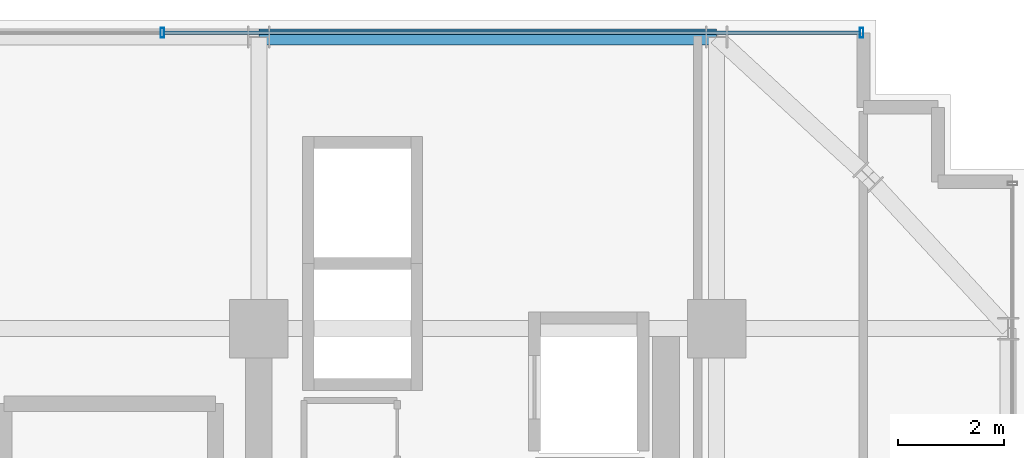
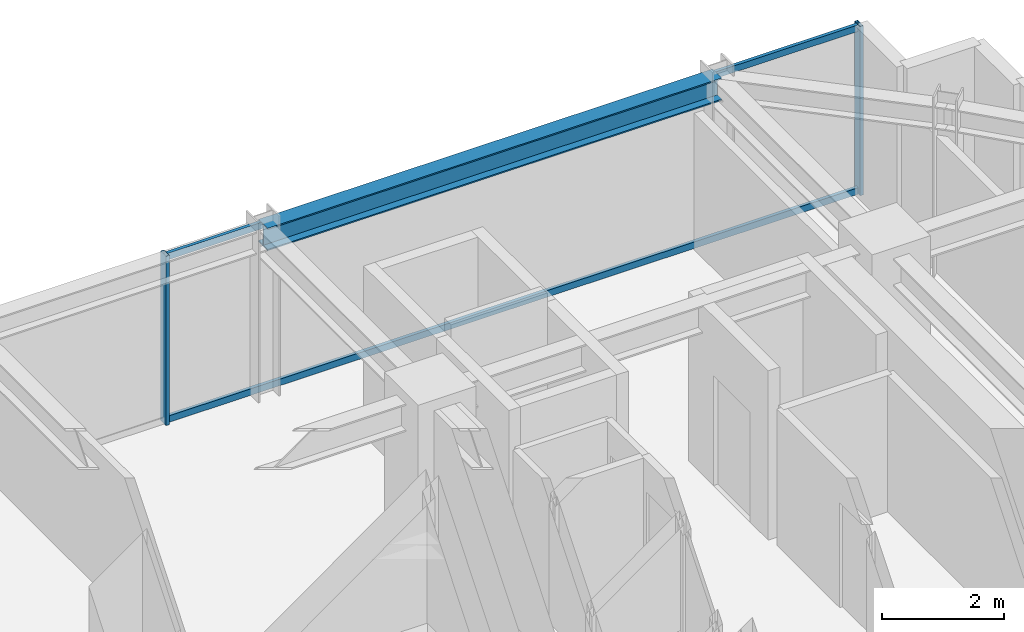
# One storey, part 23 of 31: 4 members, 1 beam, 1 element without a shape of its own.
"""IFC4 building model written with IfcOpenShell, lengths in metres."""

from ifc_helpers import new_model, si_unit, direction, frame, origin, origin_2d, place, context, subcontext, project, spatial, hollow_rectangle, i_section, extrude, source, transform, mapped, material, material_profile, profile_set, type_object, element, aggregate, save


model = new_model("IFC4")

# Units and contexts
model_context = context("Model", 3, precision=1e-05, world=origin(), true_north=direction((0.0, 1.0)))
body_context = subcontext(model_context, "Body", "Model", "MODEL_VIEW")
ifc_project = project(units=[si_unit("LENGTHUNIT", "METRE"), si_unit("AREAUNIT", "SQUARE_METRE"), si_unit("VOLUMEUNIT", "CUBIC_METRE"), si_unit("PLANEANGLEUNIT", "RADIAN"), si_unit("MASSUNIT", "GRAM", prefix="KILO")], contexts=[model_context])

# Site, building, storey
site_placement = place(None, origin())
site = spatial("IfcSite", under=ifc_project, at=site_placement, CompositionType="ELEMENT")
building_placement = place(site_placement, origin())
building = spatial("IfcBuilding", under=site, at=building_placement, Name="Nahalor Promenade Grand Hotel", CompositionType="ELEMENT")
storey_placement = place(building_placement, frame((0.0, 0.0, 156.300048828125)))
storey = spatial("IfcBuildingStorey", under=building, at=storey_placement, Name="L39", CompositionType="ELEMENT", Elevation=156.300048828125)

# Beam
ifc_material_1 = material(Name="Steel S355JR", Category="steel")
ifc_material_profile_1 = material_profile(ifc_material_1, i_section(OverallWidth=0.3, OverallDepth=0.45, WebThickness=0.014, FlangeThickness=0.026, at=origin_2d()), Name="HEB 450")
ifc_profile_set_1 = profile_set([ifc_material_profile_1], Name="Steel S355JR")
beam_type = type_object("IfcBeamType", Name="Beam-Spandrel-HEB450", PredefinedType="SPANDREL", material=ifc_profile_set_1)
shared_shape_1 = source(origin(), body_context, "Body", "SweptSolid", [
    extrude(i_section(OverallWidth=0.3, OverallDepth=0.45, WebThickness=0.014, FlangeThickness=0.026, at=origin_2d()), origin(), (0.0, 0.0, 1.0), 8.60009765625),
])
beam_placement = place(storey_placement, frame((8.39990234375, 22.47998046875, 3.1650390625), z_axis=(1.0, 0.0, 0.0), x_axis=(0.0, 1.0, 0.0)))
element("IfcBeam", 1, at=beam_placement, inside=storey, type_object=beam_type, Name="BM-L39-SP-N-4", PredefinedType="SPANDREL", context=body_context, shape_type="MappedRepresentation", body=[
    mapped(shared_shape_1, transform((0.0, 0.0, 0.0), scale=1.0)),
])

# Curtain wall, members
ifc_material_2 = material(Name="Anodised Bronze Aluminium EN AW-6063 T6", Category="aluminium")
curtain_wall_type = type_object("IfcCurtainWallType", Name="CW2 Typical Hotel Flush Bronze Unitised Curtain Wall", PredefinedType="USERDEFINED", material=ifc_material_2)
curtain_wall_placement = place(storey_placement, origin())
curtain_wall = element("IfcCurtainWall", 2, at=curtain_wall_placement, inside=storey, type_object=curtain_wall_type, Name="L39 Curtain Wall CW-L39-N-1", ObjectType="UNITISED_CURTAIN_WALL", PredefinedType="USERDEFINED")
ifc_material_profile_2 = material_profile(ifc_material_2, hollow_rectangle(XDim=0.065, YDim=0.18, WallThickness=0.004, at=origin_2d()), Name="CWM 65x180x4")
ifc_profile_set_2 = profile_set([ifc_material_profile_2], Name="Anodised Bronze Aluminium EN AW-6063 T6")
member_type_1 = type_object("IfcMemberType", Name="CWM2 Typical Bronze Mullion 65x180", PredefinedType="MULLION", material=ifc_profile_set_2)
shared_shape_2 = source(origin(), body_context, "Body", "SweptSolid", [
    extrude(hollow_rectangle(XDim=0.065, YDim=0.18, WallThickness=0.004, at=origin_2d()), origin(), (0.0, 0.0, 1.0), 3.389892578125),
])
member_1_placement = place(storey_placement, frame((6.586669921875, 22.56005859375, 0.0), z_axis=(0.0, 0.0, 1.0), x_axis=(1.0, 0.0, 0.0)))
member_1 = element("IfcMember", 3, at=member_1_placement, type_object=member_type_1, Name="CW-L39-N-1 Mullion 2", PredefinedType="MULLION", context=body_context, shape_type="MappedRepresentation", body=[
    mapped(shared_shape_2, transform((0.0, 0.0, 0.0), scale=1.0)),
])
member_2_placement = place(storey_placement, frame((19.7275390625, 22.56005859375, 0.0), z_axis=(0.0, 0.0, 1.0), x_axis=(1.0, 0.0, 0.0)))
member_2 = element("IfcMember", 4, at=member_2_placement, type_object=member_type_1, Name="CW-L39-N-1 Mullion 3", PredefinedType="MULLION", context=body_context, shape_type="MappedRepresentation", body=[
    mapped(shared_shape_2, transform((0.0, 0.0, 0.0), scale=1.0)),
])
ifc_material_profile_3 = material_profile(ifc_material_2, hollow_rectangle(XDim=0.065, YDim=0.13, WallThickness=0.004, at=origin_2d()), Name="CWT 65x130x4")
ifc_profile_set_3 = profile_set([ifc_material_profile_3], Name="Anodised Bronze Aluminium EN AW-6063 T6")
member_type_2 = type_object("IfcMemberType", Name="CWT2 Typical Bronze Transom 65x130", PredefinedType="USERDEFINED", material=ifc_profile_set_3)
shared_shape_3 = source(origin(), body_context, "Body", "SweptSolid", [
    extrude(hollow_rectangle(XDim=0.065, YDim=0.13, WallThickness=0.004, at=origin_2d()), origin(), (0.0, 0.0, 1.0), 13.075927734375),
])
member_3_placement = place(storey_placement, frame((6.619140625, 22.56005859375, 0.06494140625), z_axis=(1.0, 0.0, 0.0), x_axis=(0.0, 1.0, 0.0)))
member_3 = element("IfcMember", 5, at=member_3_placement, type_object=member_type_2, Name="CW-L39-N-1 Transom 2-0", ObjectType="TRANSOM", PredefinedType="USERDEFINED", context=body_context, shape_type="MappedRepresentation", body=[
    mapped(shared_shape_3, transform((0.0, 0.0, 0.0), scale=1.0)),
])
member_4_placement = place(storey_placement, frame((6.619140625, 22.56005859375, 3.324951171875), z_axis=(1.0, 0.0, 0.0), x_axis=(0.0, 1.0, 0.0)))
member_4 = element("IfcMember", 6, at=member_4_placement, type_object=member_type_2, Name="CW-L39-N-1 Transom 2-1", ObjectType="TRANSOM", PredefinedType="USERDEFINED", context=body_context, shape_type="MappedRepresentation", body=[
    mapped(shared_shape_3, transform((0.0, 0.0, 0.0), scale=1.0)),
])
aggregate(curtain_wall, [member_1, member_2, member_3, member_4])

save(model, "model.ifc")
